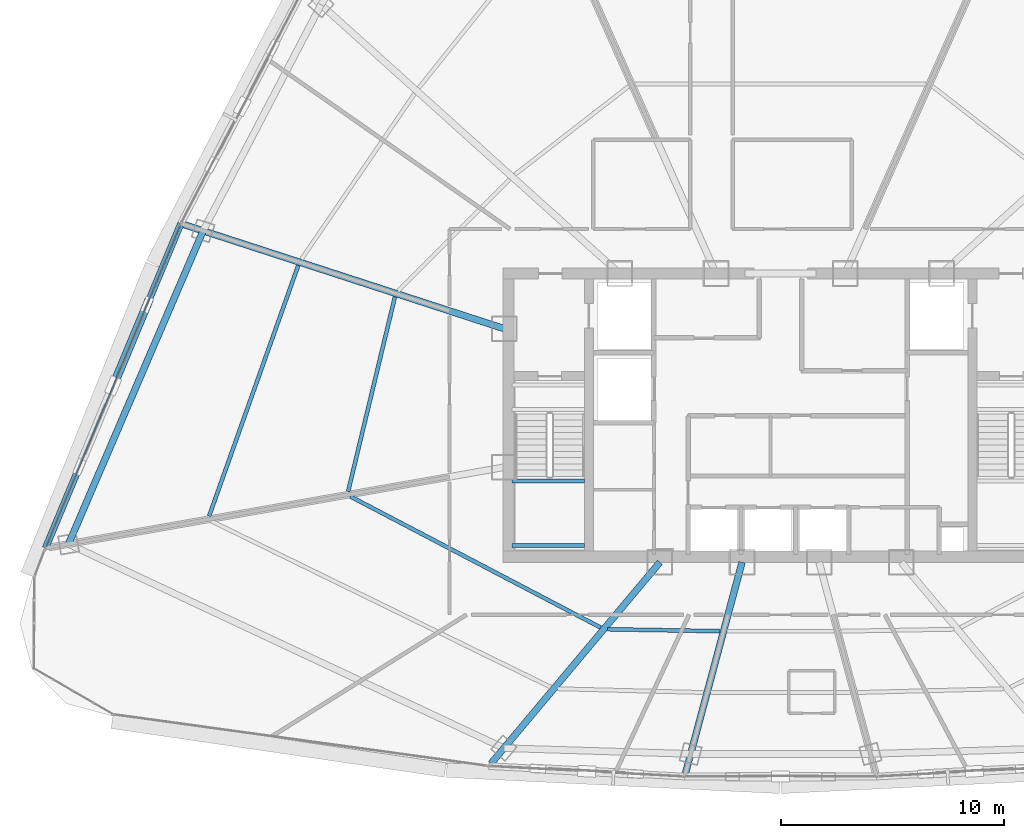
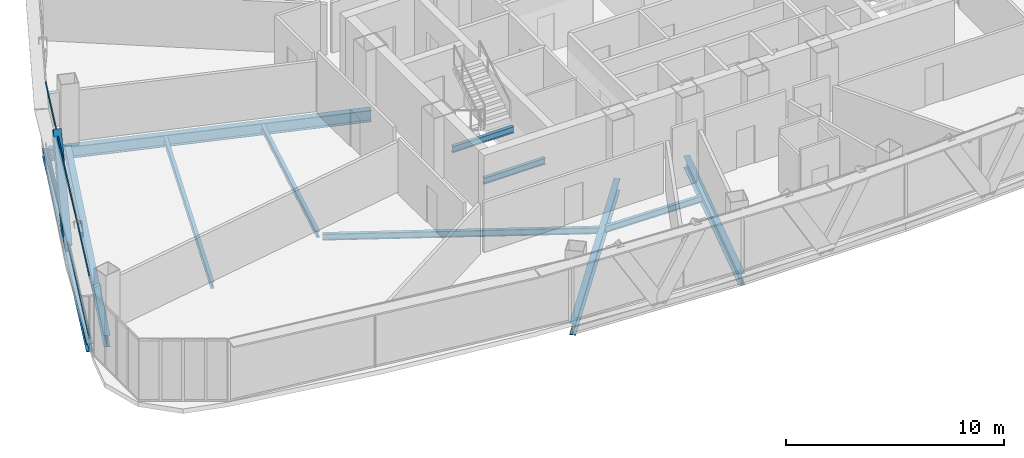
# One storey, part 7 of 36: 11 beams, 3 members, 1 element without a shape of its own.
"""IFC4 building model written with IfcOpenShell, lengths in metres."""

from ifc_helpers import new_model, si_unit, direction, frame, origin, origin_2d, place, context, subcontext, project, spatial, hollow_rectangle, i_section, extrude, source, transform, mapped, material, layer, layer_set, material_profile, profile_set, type_object, element, aggregate, save


model = new_model("IFC4")

# Units and contexts
model_context = context("Model", 3, precision=1e-05, world=origin(), true_north=direction((0.0, 1.0)))
body_context = subcontext(model_context, "Body", "Model", "MODEL_VIEW")
ifc_project = project(units=[si_unit("LENGTHUNIT", "METRE"), si_unit("AREAUNIT", "SQUARE_METRE"), si_unit("VOLUMEUNIT", "CUBIC_METRE"), si_unit("PLANEANGLEUNIT", "RADIAN"), si_unit("MASSUNIT", "GRAM", prefix="KILO"), si_unit("THERMODYNAMICTEMPERATUREUNIT", "KELVIN"), si_unit("POWERUNIT", "WATT")], contexts=[model_context])

# Site, building, storey
site_placement = place(None, origin())
site = spatial("IfcSite", under=ifc_project, at=site_placement, CompositionType="ELEMENT")
building_placement = place(site_placement, origin())
building = spatial("IfcBuilding", under=site, at=building_placement, Name="Yunzhuo Pagoda Commons", CompositionType="ELEMENT")
storey_placement = place(building_placement, frame((0.0, 0.0, 263.179931640625)))
storey = spatial("IfcBuildingStorey", under=building, at=storey_placement, Name="L66", CompositionType="ELEMENT", Elevation=263.179931640625)

# Beams
ifc_material_1 = material(Name="Structural steel Q355B", Category="steel")
ifc_material_profile_1 = material_profile(ifc_material_1, i_section(OverallWidth=0.175048828125, OverallDepth=0.35009765625, WebThickness=0.007080078125, FlangeThickness=0.010986328125, at=origin_2d()), Name="Structural steel Q355B")
ifc_profile_set_1 = profile_set([ifc_material_profile_1], Name="Structural steel Q355B")
beam_type_1 = type_object("IfcBeamType", Name="B-JS2 Joist HN 350x175x7x11", PredefinedType="JOIST", material=ifc_profile_set_1)
shared_shape_1 = source(origin(), body_context, "Body", "SweptSolid", [
    extrude(i_section(OverallWidth=0.175048828125, OverallDepth=0.35009765625, WebThickness=0.007080078125, FlangeThickness=0.010986328125, at=origin_2d()), origin(), (0.0, 0.0, 1.0), 3.25),
])
for number, where, z_axis, x_axis, name in (
    (1, (35.949951171875, 28.0, 1.489990234375), (1.0, 0.0, 0.0), (0.0, 1.0, 0.0), "L66 ST1 landing support beam 72A"),
    (2, (35.949951171875, 30.89990234375, 1.489990234375), (1.0, 0.0, 0.0), (0.0, 1.0, 0.0), "L66 ST1 landing support beam 72B"),
):
    element("IfcBeam", number, at=place(storey_placement, frame(where, z_axis=z_axis, x_axis=x_axis)), inside=storey, type_object=beam_type_1, Name=name, PredefinedType="JOIST", context=body_context, shape_type="MappedRepresentation", body=[
        mapped(shared_shape_1, transform((0.0, 0.0, 0.0), scale=1.0)),
    ])
ifc_material_profile_2 = material_profile(ifc_material_1, i_section(OverallWidth=0.300048828125, OverallDepth=0.64990234375, WebThickness=0.012939453125, FlangeThickness=0.02197265625, at=origin_2d()), Name="Structural steel Q355B")
ifc_profile_set_2 = profile_set([ifc_material_profile_2], Name="Structural steel Q355B")
beam_type_2 = type_object("IfcBeamType", Name="B-RG2 Beam HN 650x300x13x22", PredefinedType="BEAM", material=ifc_profile_set_2)
shared_shape_2 = source(origin(), body_context, "Body", "SweptSolid", [
    extrude(i_section(OverallWidth=0.300048828125, OverallDepth=0.64990234375, WebThickness=0.012939453125, FlangeThickness=0.02197265625, at=origin_2d()), origin(), (0.0, 0.0, 1.0), 15.287841796875),
])
beam_1_placement = place(storey_placement, frame((22.101806640625, 42.114990234375, -0.5849609375), z_axis=(-0.394815333819, -0.918760497726, 0.0), x_axis=(0.918760497726, -0.394815333819, 0.0)))
element("IfcBeam", 3, at=beam_1_placement, inside=storey, type_object=beam_type_2, Name="L66 column-ring beam 11", PredefinedType="BEAM", context=body_context, shape_type="MappedRepresentation", body=[
    mapped(shared_shape_2, transform((0.0, 0.0, 0.0), scale=1.0)),
])
shared_shape_3 = source(origin(), body_context, "Body", "SweptSolid", [
    extrude(i_section(OverallWidth=0.175048828125, OverallDepth=0.35009765625, WebThickness=0.007080078125, FlangeThickness=0.010986328125, at=origin_2d()), origin(), (0.0, 0.0, 1.0), 5.0556640625),
])
beam_2_placement = place(storey_placement, frame((40.228515625, 24.24609375, -0.434814453125), z_axis=(0.999848878561, -0.017384477, 0.0), x_axis=(0.017384477, 0.999848878561, 0.0)))
element("IfcBeam", 4, at=beam_2_placement, inside=storey, type_object=beam_type_1, Name="L66 composite ring joist 1.1", PredefinedType="JOIST", context=body_context, shape_type="MappedRepresentation", body=[
    mapped(shared_shape_3, transform((0.0, 0.0, 0.0), scale=1.0)),
])
shared_shape_4 = source(origin(), body_context, "Body", "SweptSolid", [
    extrude(i_section(OverallWidth=0.175048828125, OverallDepth=0.35009765625, WebThickness=0.007080078125, FlangeThickness=0.010986328125, at=origin_2d()), origin(), (0.0, 0.0, 1.0), 12.666259765625),
])
beam_3_placement = place(storey_placement, frame((28.70849609375, 30.19970703125, -0.434814453125), z_axis=(0.885841344078, -0.463988268302, 0.0), x_axis=(0.463988268302, 0.885841344078, 0.0)))
element("IfcBeam", 5, at=beam_3_placement, inside=storey, type_object=beam_type_1, Name="L66 composite ring joist 1.12", PredefinedType="JOIST", context=body_context, shape_type="MappedRepresentation", body=[
    mapped(shared_shape_4, transform((0.0, 0.0, 0.0), scale=1.0)),
])
shared_shape_5 = source(origin(), body_context, "Body", "SweptSolid", [
    extrude(i_section(OverallWidth=0.175048828125, OverallDepth=0.35009765625, WebThickness=0.007080078125, FlangeThickness=0.010986328125, at=origin_2d()), origin(), (0.0, 0.0, 1.0), 8.973876953125),
])
beam_4_placement = place(storey_placement, frame((30.703369140625, 39.1533203125, -0.434814453125), z_axis=(-0.233807152827, -0.972282991359, 0.0), x_axis=(0.972282991359, -0.233807152827, 0.0)))
element("IfcBeam", 6, at=beam_4_placement, inside=storey, type_object=beam_type_1, Name="L66 composite ring joist 1.11", PredefinedType="JOIST", context=body_context, shape_type="MappedRepresentation", body=[
    mapped(shared_shape_5, transform((0.0, 0.0, 0.0), scale=1.0)),
])
shared_shape_6 = source(origin(), body_context, "Body", "SweptSolid", [
    extrude(i_section(OverallWidth=0.175048828125, OverallDepth=0.35009765625, WebThickness=0.007080078125, FlangeThickness=0.010986328125, at=origin_2d()), origin(), (0.0, 0.0, 1.0), 11.929931640625),
])
beam_5_placement = place(storey_placement, frame((26.36767578125, 40.5615234375, -0.434814453125), z_axis=(-0.335086374925, -0.942187413066, 0.0), x_axis=(0.942187413066, -0.335086374925, 0.0)))
element("IfcBeam", 7, at=beam_5_placement, inside=storey, type_object=beam_type_1, Name="L66 composite ring joist 2.11", PredefinedType="JOIST", context=body_context, shape_type="MappedRepresentation", body=[
    mapped(shared_shape_6, transform((0.0, 0.0, 0.0), scale=1.0)),
])
shared_shape_7 = source(origin(), body_context, "Body", "SweptSolid", [
    extrude(i_section(OverallWidth=0.300048828125, OverallDepth=0.64990234375, WebThickness=0.012939453125, FlangeThickness=0.02197265625, at=origin_2d()), origin(), (0.0, 0.0, 1.0), 11.77685546875),
])
beam_6_placement = place(storey_placement, frame((35.017578125, 18.228515625, -0.5849609375), z_axis=(0.642806957164, 0.766028208241, 0.0), x_axis=(-0.766028208241, 0.642806957164, 0.0)))
element("IfcBeam", 8, at=beam_6_placement, inside=storey, type_object=beam_type_2, Name="L66 radial floor girder F1C1", PredefinedType="BEAM", context=body_context, shape_type="MappedRepresentation", body=[
    mapped(shared_shape_7, transform((0.0, 0.0, 0.0), scale=1.0)),
])
shared_shape_8 = source(origin(), body_context, "Body", "SweptSolid", [
    extrude(i_section(OverallWidth=0.300048828125, OverallDepth=0.64990234375, WebThickness=0.012939453125, FlangeThickness=0.02197265625, at=origin_2d()), origin(), (0.0, 0.0, 1.0), 9.794189453125),
])
beam_7_placement = place(storey_placement, frame((43.73681640625, 17.78955078125, -0.5849609375), z_axis=(0.258841576425, 0.965919788758, 0.0), x_axis=(-0.965919788758, 0.258841576425, 0.0)))
element("IfcBeam", 9, at=beam_7_placement, inside=storey, type_object=beam_type_2, Name="L66 radial floor girder F1C2", PredefinedType="BEAM", context=body_context, shape_type="MappedRepresentation", body=[
    mapped(shared_shape_8, transform((0.0, 0.0, 0.0), scale=1.0)),
])
shared_shape_9 = source(origin(), body_context, "Body", "SweptSolid", [
    extrude(i_section(OverallWidth=0.300048828125, OverallDepth=0.64990234375, WebThickness=0.012939453125, FlangeThickness=0.02197265625, at=origin_2d()), origin(), (0.0, 0.0, 1.0), 15.08837890625),
])
beam_8_placement = place(storey_placement, frame((21.250244140625, 42.3916015625, -0.5849609375), z_axis=(0.951055588919, -0.309019848532, 0.0), x_axis=(0.309019848532, 0.951055588919, 0.0)))
element("IfcBeam", 10, at=beam_8_placement, inside=storey, type_object=beam_type_2, Name="L66 radial floor girder F3C3", PredefinedType="BEAM", context=body_context, shape_type="MappedRepresentation", body=[
    mapped(shared_shape_9, transform((0.0, 0.0, 0.0), scale=1.0)),
])
ifc_material_profile_3 = material_profile(ifc_material_1, i_section(OverallWidth=0.300048828125, OverallDepth=0.43994140625, WebThickness=0.010986328125, FlangeThickness=0.01806640625, at=origin_2d()), Name="Structural steel Q355B")
ifc_profile_set_3 = profile_set([ifc_material_profile_3], Name="Structural steel Q355B")
beam_type_3 = type_object("IfcBeamType", Name="B-SP2 Beam HM 440x300x11x18", PredefinedType="BEAM", material=ifc_profile_set_3)
shared_shape_10 = source(origin(), body_context, "Body", "SweptSolid", [
    extrude(i_section(OverallWidth=0.300048828125, OverallDepth=0.43994140625, WebThickness=0.010986328125, FlangeThickness=0.01806640625, at=origin_2d()), origin(), (0.0, 0.0, 1.0), 15.768310546875),
])
beam_9_placement = place(storey_placement, frame((21.102783203125, 42.439453125, -0.47998046875), z_axis=(-0.385002336269, -0.922915598019, 0.0), x_axis=(0.922915598019, -0.385002336269, 0.0)))
element("IfcBeam", 11, at=beam_9_placement, inside=storey, type_object=beam_type_3, Name="L66 facade edge spandrel beam F3.3", PredefinedType="BEAM", context=body_context, shape_type="MappedRepresentation", body=[
    mapped(shared_shape_10, transform((0.0, 0.0, 0.0), scale=1.0)),
])

# Member
ifc_material_profile_4 = material_profile(ifc_material_1, hollow_rectangle(XDim=0.3798828125, YDim=0.719970703125, WallThickness=0.02001953125, at=origin_2d()), Name="Structural steel Q355B")
ifc_profile_set_4 = profile_set([ifc_material_profile_4], Name="Structural steel Q355B")
member_type_1 = type_object("IfcMemberType", Name="M-DL3 Brace BOX 720x380x20", PredefinedType="BRACE", material=ifc_profile_set_4)
shared_shape_11 = source(origin(), body_context, "Body", "SweptSolid", [
    extrude(hollow_rectangle(XDim=0.3798828125, YDim=0.719970703125, WallThickness=0.02001953125, at=origin_2d()), origin(), (0.0, 0.0, 1.0), 5.42724609375),
])
member_1_placement = place(storey_placement, frame((18.0673828125, 35.1630859375, -0.260009765625), z_axis=(0.279668564735, 0.670403831468, 0.68727301464), x_axis=(-0.922913775124, 0.385006706029, 0.0)))
element("IfcMember", 12, at=member_1_placement, inside=storey, type_object=member_type_1, Name="L66 facade diamond brace F3.3L", PredefinedType="BRACE", context=body_context, shape_type="MappedRepresentation", body=[
    mapped(shared_shape_11, transform((0.0, 0.0, 0.0), scale=1.0)),
])

# Curtain wall, members
ifc_material_2 = material(Name="Anodized aluminium 6063-T6", Category="aluminium")
ifc_layer = layer(ifc_material_2, 0.139892578125)
ifc_layer_set = layer_set([ifc_layer], Name="Anodized aluminium 6063-T6")
curtain_wall_type = type_object("IfcCurtainWallType", Name="CW-HI High-Zone Ribbon Curtain Wall", PredefinedType="NOTDEFINED", material=ifc_layer_set)
curtain_wall_placement = place(storey_placement, origin())
curtain_wall = element("IfcCurtainWall", 13, at=curtain_wall_placement, inside=storey, type_object=curtain_wall_type, Name="L66 curtain wall CW-L66-F3B4", PredefinedType="NOTDEFINED")
ifc_material_profile_5 = material_profile(ifc_material_2, hollow_rectangle(XDim=0.054931640625, YDim=0.1201171875, WallThickness=0.00341796875, at=origin_2d()), Name="Anodized aluminium 6063-T6")
ifc_profile_set_5 = profile_set([ifc_material_profile_5], Name="Anodized aluminium 6063-T6")
member_type_2 = type_object("IfcMemberType", Name="CW-HI-T Transom RHS 120x55x3.5", PredefinedType="USERDEFINED", material=ifc_profile_set_5)
shared_shape_12 = source(origin(), body_context, "Body", "SweptSolid", [
    extrude(hollow_rectangle(XDim=0.054931640625, YDim=0.1201171875, WallThickness=0.00341796875, at=origin_2d()), origin(), (0.0, 0.0, 1.0), 15.648193359375),
])
member_2_placement = place(storey_placement, frame((21.079833984375, 42.384033203125, 0.02783203125), z_axis=(-0.385020809242, -0.92290789164, 0.0), x_axis=(0.92290789164, -0.385020809242, 0.0)))
member_2 = element("IfcMember", 14, at=member_2_placement, type_object=member_type_2, Name="CW transom 1.1", ObjectType="TRANSOM", PredefinedType="USERDEFINED", context=body_context, shape_type="MappedRepresentation", body=[
    mapped(shared_shape_12, transform((0.0, 0.0, 0.0), scale=1.0)),
])
member_3_placement = place(storey_placement, frame((21.079833984375, 42.384033203125, 3.442626953125), z_axis=(-0.385020809242, -0.92290789164, 0.0), x_axis=(0.92290789164, -0.385020809242, 0.0)))
member_3 = element("IfcMember", 15, at=member_3_placement, type_object=member_type_2, Name="CW transom 1.2", ObjectType="TRANSOM", PredefinedType="USERDEFINED", context=body_context, shape_type="MappedRepresentation", body=[
    mapped(shared_shape_12, transform((0.0, 0.0, 0.0), scale=1.0)),
])
aggregate(curtain_wall, [member_2, member_3])

save(model, "model.ifc")
